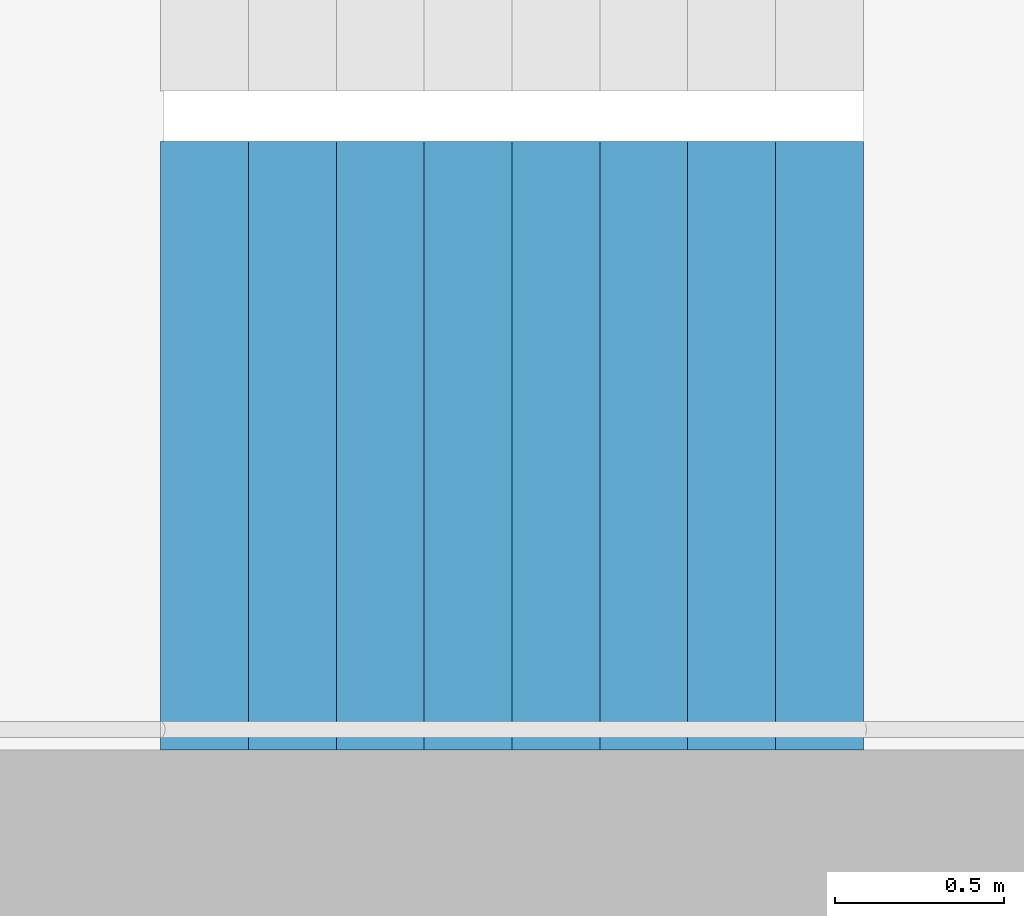
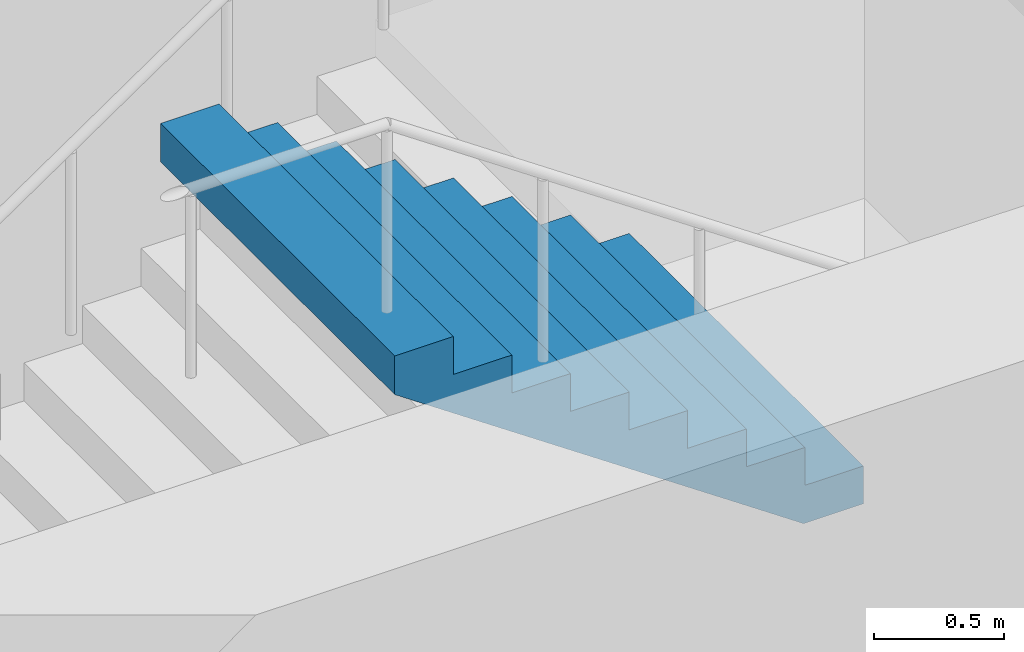
# One storey, part 22 of 26: 1 stair flight, 1 element without a shape of its own.
"""IFC4 building model written with IfcOpenShell, lengths in metres."""

from ifc_helpers import new_model, si_unit, direction, frame, origin, place, context, subcontext, project, spatial, triangles, material, type_object, element, aggregate, save


model = new_model("IFC4")

# Units and contexts
model_context = context("Model", 3, precision=1e-05, world=origin(), true_north=direction((0.0, 1.0)))
body_context = subcontext(model_context, "Body", "Model", "MODEL_VIEW")
ifc_project = project(units=[si_unit("LENGTHUNIT", "METRE"), si_unit("AREAUNIT", "SQUARE_METRE"), si_unit("VOLUMEUNIT", "CUBIC_METRE"), si_unit("PLANEANGLEUNIT", "RADIAN"), si_unit("MASSUNIT", "GRAM", prefix="KILO")], contexts=[model_context])

# Site, building, storey
site_placement = place(None, origin())
site = spatial("IfcSite", under=ifc_project, at=site_placement, CompositionType="ELEMENT")
building_placement = place(site_placement, origin())
building = spatial("IfcBuilding", under=site, at=building_placement, Name="Hakoniwa Tower and Hamabe Station Hall", CompositionType="ELEMENT")
storey_placement = place(building_placement, frame((0.0, 0.0, 189.800048828125)))
storey = spatial("IfcBuildingStorey", under=building, at=storey_placement, Name="L53", CompositionType="ELEMENT", Elevation=189.800048828125)

# Stair, stair flight
ifc_material_1 = material(Name="Concrete C40", Category="concrete")
stair_type = type_object("IfcStairType", Name="ESCAPE STAIR 1800", PredefinedType="HALF_TURN_STAIR", material=ifc_material_1)
stair_placement = place(storey_placement, origin())
stair = element("IfcStair", 1, at=stair_placement, inside=storey, type_object=stair_type, Name="Escape stair ST-4 L53", PredefinedType="HALF_TURN_STAIR")
ifc_material_2 = material(Name="Concrete C40", Category="concrete")
stair_flight_type = type_object("IfcStairFlightType", Name="STAIR FLIGHT 1800", PredefinedType="STRAIGHT", material=ifc_material_2)
stair_flight_placement = place(storey_placement, frame((25.47998046875, -6.60009765625, 1.599853515625), z_axis=(0.0, 0.0, 1.0), x_axis=(-1.0, 0.0, 0.0)))
stair_flight = element("IfcStairFlight", 2, at=stair_flight_placement, type_object=stair_flight_type, Name="ST-4 flight 2", NumberOfRisers=9, NumberOfTreads=8, PredefinedType="STRAIGHT", RiserHeight=0.177777778, TreadLength=0.26, context=body_context, shape_type="Tessellation", body=[
    triangles([(0.0, 0.89990234375, 0.0), (0.260009765625, 0.89990234375, 0.0), (0.265625, 0.89990234375, 0.0), (0.52001953125, 0.89990234375, 0.174072265625), (0.780029296875, 0.89990234375, 0.351806640625), (1.0400390625, 0.89990234375, 0.529541015625), (1.300048828125, 0.89990234375, 0.707275390625), (1.56005859375, 0.89990234375, 0.885009765625), (1.820068359375, 0.89990234375, 1.062744140625), (2.080078125, 0.89990234375, 1.24072265625), (2.080078125, 0.89990234375, 1.422119140625), (1.820068359375, 0.89990234375, 1.422119140625), (1.820068359375, 0.89990234375, 1.244384765625), (1.56005859375, 0.89990234375, 1.244384765625), (1.56005859375, 0.89990234375, 1.066650390625), (1.300048828125, 0.89990234375, 1.066650390625), (1.300048828125, 0.89990234375, 0.888916015625), (1.0400390625, 0.89990234375, 0.888916015625), (1.0400390625, 0.89990234375, 0.711181640625), (0.780029296875, 0.89990234375, 0.711181640625), (0.780029296875, 0.89990234375, 0.533447265625), (0.52001953125, 0.89990234375, 0.533447265625), (0.52001953125, 0.89990234375, 0.35546875), (0.265625, 0.89990234375, 0.35546875), (0.260009765625, 0.89990234375, 0.35546875), (0.260009765625, 0.89990234375, 0.177734375), (0.0, 0.89990234375, 0.177734375), (0.0, 0.06005859375, 0.0), (0.260009765625, 0.06005859375, 0.0), (0.265625, 0.06005859375, 0.0), (0.52001953125, 0.06005859375, 0.174072265625), (0.780029296875, 0.06005859375, 0.351806640625), (1.0400390625, 0.06005859375, 0.529541015625), (1.300048828125, 0.06005859375, 0.707275390625), (1.56005859375, 0.06005859375, 0.885009765625), (1.820068359375, 0.06005859375, 1.062744140625), (2.080078125, 0.06005859375, 1.24072265625), (2.080078125, 0.06005859375, 1.422119140625), (1.820068359375, 0.06005859375, 1.422119140625), (1.820068359375, 0.06005859375, 1.244384765625), (1.56005859375, 0.06005859375, 1.244384765625), (1.56005859375, 0.06005859375, 1.066650390625), (1.300048828125, 0.06005859375, 1.066650390625), (1.300048828125, 0.06005859375, 0.888916015625), (1.0400390625, 0.06005859375, 0.888916015625), (1.0400390625, 0.06005859375, 0.711181640625), (0.780029296875, 0.06005859375, 0.711181640625), (0.780029296875, 0.06005859375, 0.533447265625), (0.52001953125, 0.06005859375, 0.533447265625), (0.52001953125, 0.06005859375, 0.35546875), (0.265625, 0.06005859375, 0.35546875), (0.260009765625, 0.06005859375, 0.35546875), (0.260009765625, 0.06005859375, 0.177734375), (0.0, 0.06005859375, 0.177734375), (0.0, 0.04296875, 0.0), (0.260009765625, 0.04296875, 0.0), (0.265625, 0.04296875, 0.0), (0.52001953125, 0.04296875, 0.174072265625), (0.780029296875, 0.04296875, 0.351806640625), (1.0400390625, 0.04296875, 0.529541015625), (1.300048828125, 0.04296875, 0.707275390625), (1.56005859375, 0.04296875, 0.885009765625), (1.820068359375, 0.04296875, 1.062744140625), (2.080078125, 0.04296875, 1.24072265625), (2.080078125, 0.04296875, 1.422119140625), (1.820068359375, 0.04296875, 1.422119140625), (1.820068359375, 0.04296875, 1.244384765625), (1.56005859375, 0.04296875, 1.244384765625), (1.56005859375, 0.04296875, 1.066650390625), (1.300048828125, 0.04296875, 1.066650390625), (1.300048828125, 0.04296875, 0.888916015625), (1.0400390625, 0.04296875, 0.888916015625), (1.0400390625, 0.04296875, 0.711181640625), (0.780029296875, 0.04296875, 0.711181640625), (0.780029296875, 0.04296875, 0.533447265625), (0.52001953125, 0.04296875, 0.533447265625), (0.52001953125, 0.04296875, 0.35546875), (0.265625, 0.04296875, 0.35546875), (0.260009765625, 0.04296875, 0.35546875), (0.260009765625, 0.04296875, 0.177734375), (0.0, 0.04296875, 0.177734375), (0.0, 0.025634765625, 0.0), (0.260009765625, 0.025634765625, 0.0), (0.265625, 0.025634765625, 0.0), (0.52001953125, 0.025634765625, 0.174072265625), (0.780029296875, 0.025634765625, 0.351806640625), (1.0400390625, 0.025634765625, 0.529541015625), (1.300048828125, 0.025634765625, 0.707275390625), (1.56005859375, 0.025634765625, 0.885009765625), (1.820068359375, 0.025634765625, 1.062744140625), (2.080078125, 0.025634765625, 1.24072265625), (2.080078125, 0.025634765625, 1.422119140625), (1.820068359375, 0.025634765625, 1.422119140625), (1.820068359375, 0.025634765625, 1.244384765625), (1.56005859375, 0.025634765625, 1.244384765625), (1.56005859375, 0.025634765625, 1.066650390625), (1.300048828125, 0.025634765625, 1.066650390625), (1.300048828125, 0.025634765625, 0.888916015625), (1.0400390625, 0.025634765625, 0.888916015625), (1.0400390625, 0.025634765625, 0.711181640625), (0.780029296875, 0.025634765625, 0.711181640625), (0.780029296875, 0.025634765625, 0.533447265625), (0.52001953125, 0.025634765625, 0.533447265625), (0.52001953125, 0.025634765625, 0.35546875), (0.265625, 0.025634765625, 0.35546875), (0.260009765625, 0.025634765625, 0.35546875), (0.260009765625, 0.025634765625, 0.177734375), (0.0, 0.025634765625, 0.177734375), (0.0, 0.008544921875, 0.0), (0.260009765625, 0.008544921875, 0.0), (0.265625, 0.008544921875, 0.0), (0.52001953125, 0.008544921875, 0.174072265625), (0.780029296875, 0.008544921875, 0.351806640625), (1.0400390625, 0.008544921875, 0.529541015625), (1.300048828125, 0.008544921875, 0.707275390625), (1.56005859375, 0.008544921875, 0.885009765625), (1.820068359375, 0.008544921875, 1.062744140625), (2.080078125, 0.008544921875, 1.24072265625), (2.080078125, 0.008544921875, 1.422119140625), (1.820068359375, 0.008544921875, 1.422119140625), (1.820068359375, 0.008544921875, 1.244384765625), (1.56005859375, 0.008544921875, 1.244384765625), (1.56005859375, 0.008544921875, 1.066650390625), (1.300048828125, 0.008544921875, 1.066650390625), (1.300048828125, 0.008544921875, 0.888916015625), (1.0400390625, 0.008544921875, 0.888916015625), (1.0400390625, 0.008544921875, 0.711181640625), (0.780029296875, 0.008544921875, 0.711181640625), (0.780029296875, 0.008544921875, 0.533447265625), (0.52001953125, 0.008544921875, 0.533447265625), (0.52001953125, 0.008544921875, 0.35546875), (0.265625, 0.008544921875, 0.35546875), (0.260009765625, 0.008544921875, 0.35546875), (0.260009765625, 0.008544921875, 0.177734375), (0.0, 0.008544921875, 0.177734375), (0.0, -0.008544921875, 0.0), (0.260009765625, -0.008544921875, 0.0), (0.265625, -0.008544921875, 0.0), (0.52001953125, -0.008544921875, 0.174072265625), (0.780029296875, -0.008544921875, 0.351806640625), (1.0400390625, -0.008544921875, 0.529541015625), (1.300048828125, -0.008544921875, 0.707275390625), (1.56005859375, -0.008544921875, 0.885009765625), (1.820068359375, -0.008544921875, 1.062744140625), (2.080078125, -0.008544921875, 1.24072265625), (2.080078125, -0.008544921875, 1.422119140625), (1.820068359375, -0.008544921875, 1.422119140625), (1.820068359375, -0.008544921875, 1.244384765625), (1.56005859375, -0.008544921875, 1.244384765625), (1.56005859375, -0.008544921875, 1.066650390625), (1.300048828125, -0.008544921875, 1.066650390625), (1.300048828125, -0.008544921875, 0.888916015625), (1.0400390625, -0.008544921875, 0.888916015625), (1.0400390625, -0.008544921875, 0.711181640625), (0.780029296875, -0.008544921875, 0.711181640625), (0.780029296875, -0.008544921875, 0.533447265625), (0.52001953125, -0.008544921875, 0.533447265625), (0.52001953125, -0.008544921875, 0.35546875), (0.265625, -0.008544921875, 0.35546875), (0.260009765625, -0.008544921875, 0.35546875), (0.260009765625, -0.008544921875, 0.177734375), (0.0, -0.008544921875, 0.177734375), (0.0, -0.025634765625, 0.0), (0.260009765625, -0.025634765625, 0.0), (0.265625, -0.025634765625, 0.0), (0.52001953125, -0.025634765625, 0.174072265625), (0.780029296875, -0.025634765625, 0.351806640625), (1.0400390625, -0.025634765625, 0.529541015625), (1.300048828125, -0.025634765625, 0.707275390625), (1.56005859375, -0.025634765625, 0.885009765625), (1.820068359375, -0.025634765625, 1.062744140625), (2.080078125, -0.025634765625, 1.24072265625), (2.080078125, -0.025634765625, 1.422119140625), (1.820068359375, -0.025634765625, 1.422119140625), (1.820068359375, -0.025634765625, 1.244384765625), (1.56005859375, -0.025634765625, 1.244384765625), (1.56005859375, -0.025634765625, 1.066650390625), (1.300048828125, -0.025634765625, 1.066650390625), (1.300048828125, -0.025634765625, 0.888916015625), (1.0400390625, -0.025634765625, 0.888916015625), (1.0400390625, -0.025634765625, 0.711181640625), (0.780029296875, -0.025634765625, 0.711181640625), (0.780029296875, -0.025634765625, 0.533447265625), (0.52001953125, -0.025634765625, 0.533447265625), (0.52001953125, -0.025634765625, 0.35546875), (0.265625, -0.025634765625, 0.35546875), (0.260009765625, -0.025634765625, 0.35546875), (0.260009765625, -0.025634765625, 0.177734375), (0.0, -0.025634765625, 0.177734375), (0.0, -0.04296875, 0.0), (0.260009765625, -0.04296875, 0.0), (0.265625, -0.04296875, 0.0), (0.52001953125, -0.04296875, 0.174072265625), (0.780029296875, -0.04296875, 0.351806640625), (1.0400390625, -0.04296875, 0.529541015625), (1.300048828125, -0.04296875, 0.707275390625), (1.56005859375, -0.04296875, 0.885009765625), (1.820068359375, -0.04296875, 1.062744140625), (2.080078125, -0.04296875, 1.24072265625), (2.080078125, -0.04296875, 1.422119140625), (1.820068359375, -0.04296875, 1.422119140625), (1.820068359375, -0.04296875, 1.244384765625), (1.56005859375, -0.04296875, 1.244384765625), (1.56005859375, -0.04296875, 1.066650390625), (1.300048828125, -0.04296875, 1.066650390625), (1.300048828125, -0.04296875, 0.888916015625), (1.0400390625, -0.04296875, 0.888916015625), (1.0400390625, -0.04296875, 0.711181640625), (0.780029296875, -0.04296875, 0.711181640625), (0.780029296875, -0.04296875, 0.533447265625), (0.52001953125, -0.04296875, 0.533447265625), (0.52001953125, -0.04296875, 0.35546875), (0.265625, -0.04296875, 0.35546875), (0.260009765625, -0.04296875, 0.35546875), (0.260009765625, -0.04296875, 0.177734375), (0.0, -0.04296875, 0.177734375), (0.0, -0.06005859375, 0.0), (0.260009765625, -0.06005859375, 0.0), (0.265625, -0.06005859375, 0.0), (0.52001953125, -0.06005859375, 0.174072265625), (0.780029296875, -0.06005859375, 0.351806640625), (1.0400390625, -0.06005859375, 0.529541015625), (1.300048828125, -0.06005859375, 0.707275390625), (1.56005859375, -0.06005859375, 0.885009765625), (1.820068359375, -0.06005859375, 1.062744140625), (2.080078125, -0.06005859375, 1.24072265625), (2.080078125, -0.06005859375, 1.422119140625), (1.820068359375, -0.06005859375, 1.422119140625), (1.820068359375, -0.06005859375, 1.244384765625), (1.56005859375, -0.06005859375, 1.244384765625), (1.56005859375, -0.06005859375, 1.066650390625), (1.300048828125, -0.06005859375, 1.066650390625), (1.300048828125, -0.06005859375, 0.888916015625), (1.0400390625, -0.06005859375, 0.888916015625), (1.0400390625, -0.06005859375, 0.711181640625), (0.780029296875, -0.06005859375, 0.711181640625), (0.780029296875, -0.06005859375, 0.533447265625), (0.52001953125, -0.06005859375, 0.533447265625), (0.52001953125, -0.06005859375, 0.35546875), (0.265625, -0.06005859375, 0.35546875), (0.260009765625, -0.06005859375, 0.35546875), (0.260009765625, -0.06005859375, 0.177734375), (0.0, -0.06005859375, 0.177734375), (0.0, -0.89990234375, 0.0), (0.260009765625, -0.89990234375, 0.0), (0.265625, -0.89990234375, 0.0), (0.52001953125, -0.89990234375, 0.174072265625), (0.780029296875, -0.89990234375, 0.351806640625), (1.0400390625, -0.89990234375, 0.529541015625), (1.300048828125, -0.89990234375, 0.707275390625), (1.56005859375, -0.89990234375, 0.885009765625), (1.820068359375, -0.89990234375, 1.062744140625), (2.080078125, -0.89990234375, 1.24072265625), (2.080078125, -0.89990234375, 1.422119140625), (1.820068359375, -0.89990234375, 1.422119140625), (1.820068359375, -0.89990234375, 1.244384765625), (1.56005859375, -0.89990234375, 1.244384765625), (1.56005859375, -0.89990234375, 1.066650390625), (1.300048828125, -0.89990234375, 1.066650390625), (1.300048828125, -0.89990234375, 0.888916015625), (1.0400390625, -0.89990234375, 0.888916015625), (1.0400390625, -0.89990234375, 0.711181640625), (0.780029296875, -0.89990234375, 0.711181640625), (0.780029296875, -0.89990234375, 0.533447265625), (0.52001953125, -0.89990234375, 0.533447265625), (0.52001953125, -0.89990234375, 0.35546875), (0.265625, -0.89990234375, 0.35546875), (0.260009765625, -0.89990234375, 0.35546875), (0.260009765625, -0.89990234375, 0.177734375), (0.0, -0.89990234375, 0.177734375)], [[2, 27, 26], [245, 269, 270], [2, 1, 27], [245, 270, 244], [3, 25, 24], [246, 267, 268], [3, 26, 25], [246, 268, 269], [3, 2, 26], [246, 269, 245], [4, 24, 23], [247, 266, 267], [4, 3, 24], [247, 267, 246], [5, 22, 21], [248, 264, 265], [5, 23, 22], [248, 265, 266], [5, 4, 23], [248, 266, 247], [6, 20, 19], [249, 262, 263], [6, 21, 20], [249, 263, 264], [6, 5, 21], [249, 264, 248], [7, 18, 17], [250, 260, 261], [7, 19, 18], [250, 261, 262], [7, 6, 19], [250, 262, 249], [8, 16, 15], [251, 258, 259], [8, 17, 16], [251, 259, 260], [8, 7, 17], [251, 260, 250], [9, 14, 13], [252, 256, 257], [9, 15, 14], [252, 257, 258], [9, 8, 15], [252, 258, 251], [10, 12, 11], [253, 254, 255], [10, 13, 12], [253, 255, 256], [10, 9, 13], [253, 256, 252], [1, 2, 29], [1, 29, 28], [28, 29, 56], [28, 56, 55], [55, 56, 83], [55, 83, 82], [82, 83, 110], [82, 110, 109], [109, 110, 137], [109, 137, 136], [136, 137, 164], [136, 164, 163], [163, 164, 191], [163, 191, 190], [190, 191, 218], [190, 218, 217], [217, 218, 245], [217, 245, 244], [2, 3, 30], [2, 30, 29], [29, 30, 57], [29, 57, 56], [56, 57, 84], [56, 84, 83], [83, 84, 111], [83, 111, 110], [110, 111, 138], [110, 138, 137], [137, 138, 165], [137, 165, 164], [164, 165, 192], [164, 192, 191], [191, 192, 219], [191, 219, 218], [218, 219, 246], [218, 246, 245], [3, 4, 31], [3, 31, 30], [30, 31, 58], [30, 58, 57], [57, 58, 85], [57, 85, 84], [84, 85, 112], [84, 112, 111], [111, 112, 139], [111, 139, 138], [138, 139, 166], [138, 166, 165], [165, 166, 193], [165, 193, 192], [192, 193, 220], [192, 220, 219], [219, 220, 247], [219, 247, 246], [4, 5, 32], [4, 32, 31], [31, 32, 59], [31, 59, 58], [58, 59, 86], [58, 86, 85], [85, 86, 113], [85, 113, 112], [112, 113, 140], [112, 140, 139], [139, 140, 167], [139, 167, 166], [166, 167, 194], [166, 194, 193], [193, 194, 221], [193, 221, 220], [220, 221, 248], [220, 248, 247], [5, 6, 33], [5, 33, 32], [32, 33, 60], [32, 60, 59], [59, 60, 87], [59, 87, 86], [86, 87, 114], [86, 114, 113], [113, 114, 141], [113, 141, 140], [140, 141, 168], [140, 168, 167], [167, 168, 195], [167, 195, 194], [194, 195, 222], [194, 222, 221], [221, 222, 249], [221, 249, 248], [6, 7, 34], [6, 34, 33], [33, 34, 61], [33, 61, 60], [60, 61, 88], [60, 88, 87], [87, 88, 115], [87, 115, 114], [114, 115, 142], [114, 142, 141], [141, 142, 169], [141, 169, 168], [168, 169, 196], [168, 196, 195], [195, 196, 223], [195, 223, 222], [222, 223, 250], [222, 250, 249], [7, 8, 35], [7, 35, 34], [34, 35, 62], [34, 62, 61], [61, 62, 89], [61, 89, 88], [88, 89, 116], [88, 116, 115], [115, 116, 143], [115, 143, 142], [142, 143, 170], [142, 170, 169], [169, 170, 197], [169, 197, 196], [196, 197, 224], [196, 224, 223], [223, 224, 251], [223, 251, 250], [8, 9, 36], [8, 36, 35], [35, 36, 63], [35, 63, 62], [62, 63, 90], [62, 90, 89], [89, 90, 117], [89, 117, 116], [116, 117, 144], [116, 144, 143], [143, 144, 171], [143, 171, 170], [170, 171, 198], [170, 198, 197], [197, 198, 225], [197, 225, 224], [224, 225, 252], [224, 252, 251], [9, 10, 37], [9, 37, 36], [36, 37, 64], [36, 64, 63], [63, 64, 91], [63, 91, 90], [90, 91, 118], [90, 118, 117], [117, 118, 145], [117, 145, 144], [144, 145, 172], [144, 172, 171], [171, 172, 199], [171, 199, 198], [198, 199, 226], [198, 226, 225], [225, 226, 253], [225, 253, 252], [10, 11, 38], [10, 38, 37], [37, 38, 65], [37, 65, 64], [64, 65, 92], [64, 92, 91], [91, 92, 119], [91, 119, 118], [118, 119, 146], [118, 146, 145], [145, 146, 173], [145, 173, 172], [172, 173, 200], [172, 200, 199], [199, 200, 227], [199, 227, 226], [226, 227, 254], [226, 254, 253], [11, 12, 39], [11, 39, 38], [38, 39, 66], [38, 66, 65], [65, 66, 93], [65, 93, 92], [92, 93, 120], [92, 120, 119], [119, 120, 147], [119, 147, 146], [146, 147, 174], [146, 174, 173], [173, 174, 201], [173, 201, 200], [200, 201, 228], [200, 228, 227], [227, 228, 255], [227, 255, 254], [12, 13, 40], [12, 40, 39], [39, 40, 67], [39, 67, 66], [66, 67, 94], [66, 94, 93], [93, 94, 121], [93, 121, 120], [120, 121, 148], [120, 148, 147], [147, 148, 175], [147, 175, 174], [174, 175, 202], [174, 202, 201], [201, 202, 229], [201, 229, 228], [228, 229, 256], [228, 256, 255], [13, 14, 41], [13, 41, 40], [40, 41, 68], [40, 68, 67], [67, 68, 95], [67, 95, 94], [94, 95, 122], [94, 122, 121], [121, 122, 149], [121, 149, 148], [148, 149, 176], [148, 176, 175], [175, 176, 203], [175, 203, 202], [202, 203, 230], [202, 230, 229], [229, 230, 257], [229, 257, 256], [14, 15, 42], [14, 42, 41], [41, 42, 69], [41, 69, 68], [68, 69, 96], [68, 96, 95], [95, 96, 123], [95, 123, 122], [122, 123, 150], [122, 150, 149], [149, 150, 177], [149, 177, 176], [176, 177, 204], [176, 204, 203], [203, 204, 231], [203, 231, 230], [230, 231, 258], [230, 258, 257], [15, 16, 43], [15, 43, 42], [42, 43, 70], [42, 70, 69], [69, 70, 97], [69, 97, 96], [96, 97, 124], [96, 124, 123], [123, 124, 151], [123, 151, 150], [150, 151, 178], [150, 178, 177], [177, 178, 205], [177, 205, 204], [204, 205, 232], [204, 232, 231], [231, 232, 259], [231, 259, 258], [16, 17, 44], [16, 44, 43], [43, 44, 71], [43, 71, 70], [70, 71, 98], [70, 98, 97], [97, 98, 125], [97, 125, 124], [124, 125, 152], [124, 152, 151], [151, 152, 179], [151, 179, 178], [178, 179, 206], [178, 206, 205], [205, 206, 233], [205, 233, 232], [232, 233, 260], [232, 260, 259], [17, 18, 45], [17, 45, 44], [44, 45, 72], [44, 72, 71], [71, 72, 99], [71, 99, 98], [98, 99, 126], [98, 126, 125], [125, 126, 153], [125, 153, 152], [152, 153, 180], [152, 180, 179], [179, 180, 207], [179, 207, 206], [206, 207, 234], [206, 234, 233], [233, 234, 261], [233, 261, 260], [18, 19, 46], [18, 46, 45], [45, 46, 73], [45, 73, 72], [72, 73, 100], [72, 100, 99], [99, 100, 127], [99, 127, 126], [126, 127, 154], [126, 154, 153], [153, 154, 181], [153, 181, 180], [180, 181, 208], [180, 208, 207], [207, 208, 235], [207, 235, 234], [234, 235, 262], [234, 262, 261], [19, 20, 47], [19, 47, 46], [46, 47, 74], [46, 74, 73], [73, 74, 101], [73, 101, 100], [100, 101, 128], [100, 128, 127], [127, 128, 155], [127, 155, 154], [154, 155, 182], [154, 182, 181], [181, 182, 209], [181, 209, 208], [208, 209, 236], [208, 236, 235], [235, 236, 263], [235, 263, 262], [20, 21, 48], [20, 48, 47], [47, 48, 75], [47, 75, 74], [74, 75, 102], [74, 102, 101], [101, 102, 129], [101, 129, 128], [128, 129, 156], [128, 156, 155], [155, 156, 183], [155, 183, 182], [182, 183, 210], [182, 210, 209], [209, 210, 237], [209, 237, 236], [236, 237, 264], [236, 264, 263], [21, 22, 49], [21, 49, 48], [48, 49, 76], [48, 76, 75], [75, 76, 103], [75, 103, 102], [102, 103, 130], [102, 130, 129], [129, 130, 157], [129, 157, 156], [156, 157, 184], [156, 184, 183], [183, 184, 211], [183, 211, 210], [210, 211, 238], [210, 238, 237], [237, 238, 265], [237, 265, 264], [22, 23, 50], [22, 50, 49], [49, 50, 77], [49, 77, 76], [76, 77, 104], [76, 104, 103], [103, 104, 131], [103, 131, 130], [130, 131, 158], [130, 158, 157], [157, 158, 185], [157, 185, 184], [184, 185, 212], [184, 212, 211], [211, 212, 239], [211, 239, 238], [238, 239, 266], [238, 266, 265], [23, 24, 51], [23, 51, 50], [50, 51, 78], [50, 78, 77], [77, 78, 105], [77, 105, 104], [104, 105, 132], [104, 132, 131], [131, 132, 159], [131, 159, 158], [158, 159, 186], [158, 186, 185], [185, 186, 213], [185, 213, 212], [212, 213, 240], [212, 240, 239], [239, 240, 267], [239, 267, 266], [24, 25, 52], [24, 52, 51], [51, 52, 79], [51, 79, 78], [78, 79, 106], [78, 106, 105], [105, 106, 133], [105, 133, 132], [132, 133, 160], [132, 160, 159], [159, 160, 187], [159, 187, 186], [186, 187, 214], [186, 214, 213], [213, 214, 241], [213, 241, 240], [240, 241, 268], [240, 268, 267], [25, 26, 53], [25, 53, 52], [52, 53, 80], [52, 80, 79], [79, 80, 107], [79, 107, 106], [106, 107, 134], [106, 134, 133], [133, 134, 161], [133, 161, 160], [160, 161, 188], [160, 188, 187], [187, 188, 215], [187, 215, 214], [214, 215, 242], [214, 242, 241], [241, 242, 269], [241, 269, 268], [26, 27, 54], [26, 54, 53], [53, 54, 81], [53, 81, 80], [80, 81, 108], [80, 108, 107], [107, 108, 135], [107, 135, 134], [134, 135, 162], [134, 162, 161], [161, 162, 189], [161, 189, 188], [188, 189, 216], [188, 216, 215], [215, 216, 243], [215, 243, 242], [242, 243, 270], [242, 270, 269], [27, 1, 28], [27, 28, 54], [54, 28, 55], [54, 55, 81], [81, 55, 82], [81, 82, 108], [108, 82, 109], [108, 109, 135], [135, 109, 136], [135, 136, 162], [162, 136, 163], [162, 163, 189], [189, 163, 190], [189, 190, 216], [216, 190, 217], [216, 217, 243], [243, 217, 244], [243, 244, 270]], closed=True),
])
aggregate(stair, [stair_flight])

save(model, "model.ifc")
